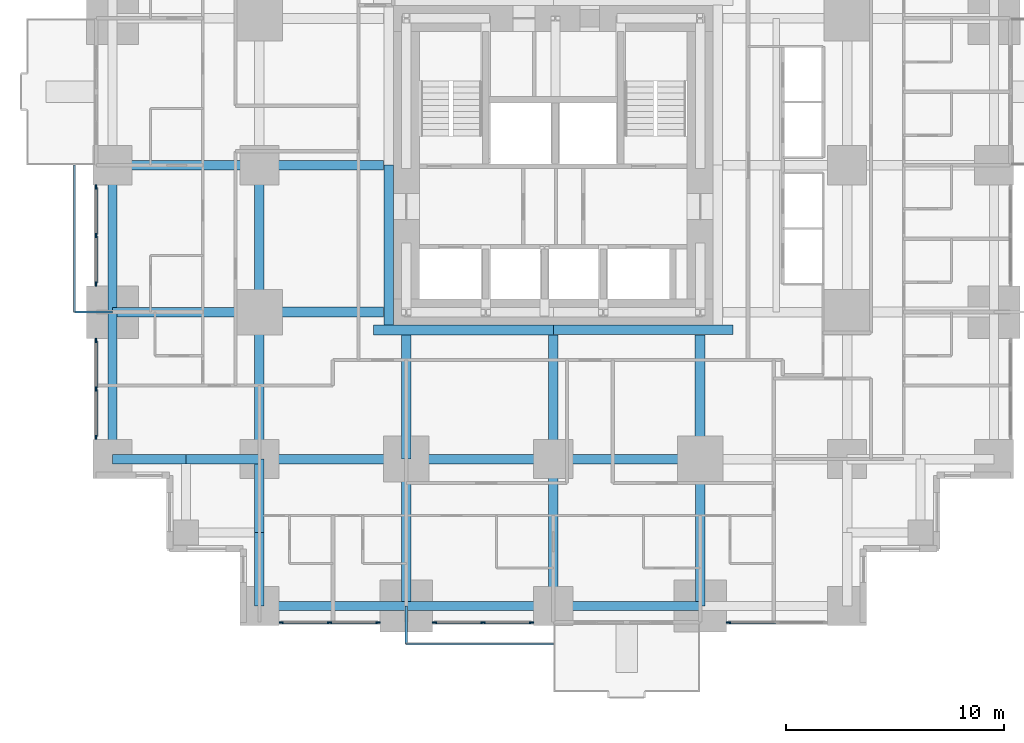
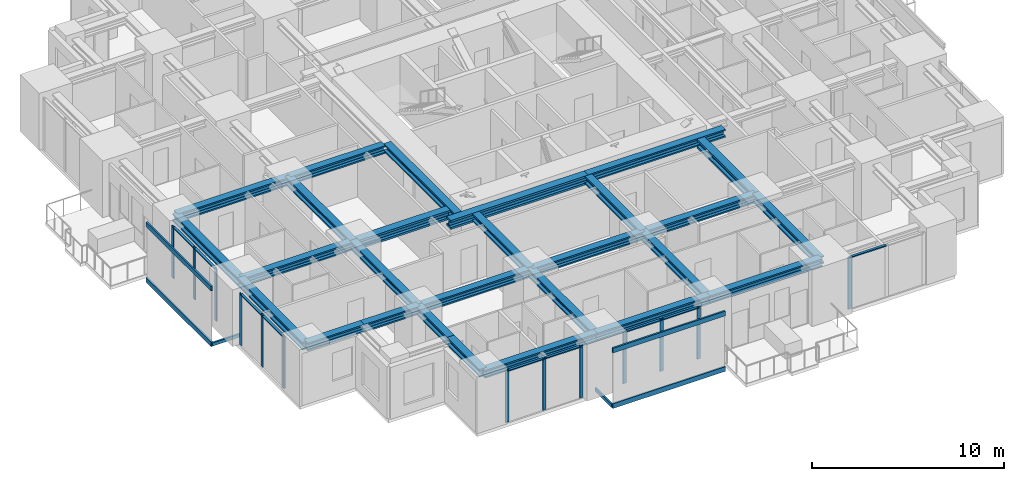
# One storey, part 2 of 15: 28 members, 27 beams, 5 elements without a shape of their own.
"""IFC4 building model written with IfcOpenShell, lengths in metres."""

from ifc_helpers import new_model, si_unit, direction, frame, origin, origin_2d, place, context, subcontext, project, spatial, rectangle, hollow_rectangle, i_section, extrude, material, material_profile, profile_set, type_object, element, aggregate, save


model = new_model("IFC4")

# Units and contexts
model_context = context("Model", 3, precision=1e-05, world=origin(), true_north=direction((0.0, 1.0)))
body_context = subcontext(model_context, "Body", "Model", "MODEL_VIEW")
ifc_project = project(units=[si_unit("LENGTHUNIT", "METRE"), si_unit("AREAUNIT", "SQUARE_METRE"), si_unit("VOLUMEUNIT", "CUBIC_METRE"), si_unit("PLANEANGLEUNIT", "RADIAN"), si_unit("MASSUNIT", "GRAM", prefix="KILO")], contexts=[model_context])

# Site, building, storey
site_placement = place(None, origin())
site = spatial("IfcSite", under=ifc_project, at=site_placement, CompositionType="ELEMENT")
building_placement = place(site_placement, origin())
building = spatial("IfcBuilding", under=site, at=building_placement, Name="Nyansa Garden Tower", CompositionType="ELEMENT")
storey_placement = place(building_placement, frame((0.0, 0.0, 72.0)))
storey = spatial("IfcBuildingStorey", under=building, at=storey_placement, Name="L19", CompositionType="ELEMENT", Elevation=72.0)

# Curtain wall, members
ifc_material_1 = material(Name="Black anodised aluminium, dark tinted double glazing", Category="aluminium")
curtain_wall_type = type_object("IfcCurtainWallType", Name="Inner skin curtain wall ISW-A", PredefinedType="USERDEFINED", material=ifc_material_1)
curtain_wall_1_placement = place(storey_placement, origin())
curtain_wall_1 = element("IfcCurtainWall", 1, at=curtain_wall_1_placement, inside=storey, type_object=curtain_wall_type, Name="Inner skin curtain wall L19 W", ObjectType="UNITISED CURTAIN WALL", PredefinedType="USERDEFINED")
ifc_material_2 = material(Name="Black anodised aluminium", Category="aluminium")
ifc_material_profile_1 = material_profile(ifc_material_2, rectangle(XDim=0.06494140625, YDim=0.199951171875, at=origin_2d()), Name="Mullion 200x65")
ifc_profile_set_1 = profile_set([ifc_material_profile_1], Name="Black anodised aluminium")
member_type_1 = type_object("IfcMemberType", Name="Mullion ISW-A 200x65", PredefinedType="MULLION", material=ifc_profile_set_1)
member_1_placement = place(storey_placement, frame((-0.75, 19.25, 0.0), z_axis=(0.0, 0.0, 1.0), x_axis=(1.0, 0.0, 0.0)))
member_1 = element("IfcMember", 2, at=member_1_placement, type_object=member_type_1, Name="ISW-A mullion 1", PredefinedType="MULLION", context=body_context, shape_type="SweptSolid", body=[
    extrude(rectangle(XDim=0.06494140625, YDim=0.199951171875, at=origin_2d()), origin(), (0.0, 0.0, 1.0), 3.300048828125),
])
member_2_placement = place(storey_placement, frame((-0.75, 17.02490234375, 0.0), z_axis=(0.0, 0.0, 1.0), x_axis=(1.0, 0.0, 0.0)))
member_2 = element("IfcMember", 3, at=member_2_placement, type_object=member_type_1, Name="ISW-A mullion 2", PredefinedType="MULLION", context=body_context, shape_type="SweptSolid", body=[
    extrude(rectangle(XDim=0.06494140625, YDim=0.199951171875, at=origin_2d()), origin(), (0.0, 0.0, 1.0), 3.300048828125),
])
member_3_placement = place(storey_placement, frame((-0.75, 14.800048828125, 0.0), z_axis=(0.0, 0.0, 1.0), x_axis=(1.0, 0.0, 0.0)))
member_3 = element("IfcMember", 4, at=member_3_placement, type_object=member_type_1, Name="ISW-A mullion 3", PredefinedType="MULLION", context=body_context, shape_type="SweptSolid", body=[
    extrude(rectangle(XDim=0.06494140625, YDim=0.199951171875, at=origin_2d()), origin(), (0.0, 0.0, 1.0), 3.300048828125),
])

curtain_wall_2_placement = place(storey_placement, origin())
curtain_wall_2 = element("IfcCurtainWall", 5, at=curtain_wall_2_placement, inside=storey, type_object=curtain_wall_type, Name="Inner skin curtain wall L19 W", ObjectType="UNITISED CURTAIN WALL", PredefinedType="USERDEFINED")
member_4_placement = place(storey_placement, frame((-0.75, 12.199951171875, 0.0), z_axis=(0.0, 0.0, 1.0), x_axis=(1.0, 0.0, 0.0)))
member_4 = element("IfcMember", 6, at=member_4_placement, type_object=member_type_1, Name="ISW-A mullion 1", PredefinedType="MULLION", context=body_context, shape_type="SweptSolid", body=[
    extrude(rectangle(XDim=0.06494140625, YDim=0.199951171875, at=origin_2d()), origin(), (0.0, 0.0, 1.0), 3.300048828125),
])
member_5_placement = place(storey_placement, frame((-0.75, 9.97509765625, 0.0), z_axis=(0.0, 0.0, 1.0), x_axis=(1.0, 0.0, 0.0)))
member_5 = element("IfcMember", 7, at=member_5_placement, type_object=member_type_1, Name="ISW-A mullion 2", PredefinedType="MULLION", context=body_context, shape_type="SweptSolid", body=[
    extrude(rectangle(XDim=0.06494140625, YDim=0.199951171875, at=origin_2d()), origin(), (0.0, 0.0, 1.0), 3.300048828125),
])
member_6_placement = place(storey_placement, frame((-0.75, 7.75, 0.0), z_axis=(0.0, 0.0, 1.0), x_axis=(1.0, 0.0, 0.0)))
member_6 = element("IfcMember", 8, at=member_6_placement, type_object=member_type_1, Name="ISW-A mullion 3", PredefinedType="MULLION", context=body_context, shape_type="SweptSolid", body=[
    extrude(rectangle(XDim=0.06494140625, YDim=0.199951171875, at=origin_2d()), origin(), (0.0, 0.0, 1.0), 3.300048828125),
])

curtain_wall_3_placement = place(storey_placement, origin())
curtain_wall_3 = element("IfcCurtainWall", 9, at=curtain_wall_3_placement, inside=storey, type_object=curtain_wall_type, Name="Inner skin curtain wall L19 S", ObjectType="UNITISED CURTAIN WALL", PredefinedType="USERDEFINED")
member_7_placement = place(storey_placement, frame((7.75, -0.75, 0.0), z_axis=(0.0, 0.0, 1.0), x_axis=(0.0, 1.0, 0.0)))
member_7 = element("IfcMember", 10, at=member_7_placement, type_object=member_type_1, Name="ISW-A mullion 1", PredefinedType="MULLION", context=body_context, shape_type="SweptSolid", body=[
    extrude(rectangle(XDim=0.06494140625, YDim=0.199951171875, at=origin_2d()), origin(), (0.0, 0.0, 1.0), 3.300048828125),
])
member_8_placement = place(storey_placement, frame((9.97509765625, -0.75, 0.0), z_axis=(0.0, 0.0, 1.0), x_axis=(0.0, 1.0, 0.0)))
member_8 = element("IfcMember", 11, at=member_8_placement, type_object=member_type_1, Name="ISW-A mullion 2", PredefinedType="MULLION", context=body_context, shape_type="SweptSolid", body=[
    extrude(rectangle(XDim=0.06494140625, YDim=0.199951171875, at=origin_2d()), origin(), (0.0, 0.0, 1.0), 3.300048828125),
])
member_9_placement = place(storey_placement, frame((12.199951171875, -0.75, 0.0), z_axis=(0.0, 0.0, 1.0), x_axis=(0.0, 1.0, 0.0)))
member_9 = element("IfcMember", 12, at=member_9_placement, type_object=member_type_1, Name="ISW-A mullion 3", PredefinedType="MULLION", context=body_context, shape_type="SweptSolid", body=[
    extrude(rectangle(XDim=0.06494140625, YDim=0.199951171875, at=origin_2d()), origin(), (0.0, 0.0, 1.0), 3.300048828125),
])

curtain_wall_4_placement = place(storey_placement, origin())
curtain_wall_4 = element("IfcCurtainWall", 13, at=curtain_wall_4_placement, inside=storey, type_object=curtain_wall_type, Name="Inner skin curtain wall L19 S", ObjectType="UNITISED CURTAIN WALL", PredefinedType="USERDEFINED")
member_10_placement = place(storey_placement, frame((14.800048828125, -0.75, 0.0), z_axis=(0.0, 0.0, 1.0), x_axis=(0.0, 1.0, 0.0)))
member_10 = element("IfcMember", 14, at=member_10_placement, type_object=member_type_1, Name="ISW-A mullion 1", PredefinedType="MULLION", context=body_context, shape_type="SweptSolid", body=[
    extrude(rectangle(XDim=0.06494140625, YDim=0.199951171875, at=origin_2d()), origin(), (0.0, 0.0, 1.0), 3.300048828125),
])
member_11_placement = place(storey_placement, frame((17.02490234375, -0.75, 0.0), z_axis=(0.0, 0.0, 1.0), x_axis=(0.0, 1.0, 0.0)))
member_11 = element("IfcMember", 15, at=member_11_placement, type_object=member_type_1, Name="ISW-A mullion 2", PredefinedType="MULLION", context=body_context, shape_type="SweptSolid", body=[
    extrude(rectangle(XDim=0.06494140625, YDim=0.199951171875, at=origin_2d()), origin(), (0.0, 0.0, 1.0), 3.300048828125),
])
member_12_placement = place(storey_placement, frame((19.25, -0.75, 0.0), z_axis=(0.0, 0.0, 1.0), x_axis=(0.0, 1.0, 0.0)))
member_12 = element("IfcMember", 16, at=member_12_placement, type_object=member_type_1, Name="ISW-A mullion 3", PredefinedType="MULLION", context=body_context, shape_type="SweptSolid", body=[
    extrude(rectangle(XDim=0.06494140625, YDim=0.199951171875, at=origin_2d()), origin(), (0.0, 0.0, 1.0), 3.300048828125),
])

# Curtain wall, member
curtain_wall_5_placement = place(storey_placement, origin())
curtain_wall_5 = element("IfcCurtainWall", 17, at=curtain_wall_5_placement, inside=storey, type_object=curtain_wall_type, Name="Inner skin curtain wall L19 S", ObjectType="UNITISED CURTAIN WALL", PredefinedType="USERDEFINED")
member_13_placement = place(storey_placement, frame((28.300048828125, -0.75, 0.0), z_axis=(0.0, 0.0, 1.0), x_axis=(0.0, 1.0, 0.0)))
member_13 = element("IfcMember", 18, at=member_13_placement, type_object=member_type_1, Name="ISW-A mullion 1", PredefinedType="MULLION", context=body_context, shape_type="SweptSolid", body=[
    extrude(rectangle(XDim=0.06494140625, YDim=0.199951171875, at=origin_2d()), origin(), (0.0, 0.0, 1.0), 3.300048828125),
])

# Members
ifc_material_3 = material(Name="Steel S355, black powder coated", Category="steel")
ifc_material_profile_2 = material_profile(ifc_material_3, hollow_rectangle(XDim=0.10009765625, YDim=0.199951171875, WallThickness=0.008056640625, at=origin_2d()), Name="RHS 200x100x8")
ifc_profile_set_2 = profile_set([ifc_material_profile_2], Name="Steel S355, black powder coated")
member_type_2 = type_object("IfcMemberType", Name="Outer skin bracket arm RHS 200x100x8", PredefinedType="USERDEFINED", material=ifc_profile_set_2)
for number, where, z_axis, x_axis, name in (
    (19, (0.0, 13.5, -0.375), (-1.0, 0.0, 0.0), (0.0, -1.0, 0.0), "Outer skin bracket arm"),
    (20, (13.5, 0.0, -0.375), (0.0, -1.0, 0.0), (1.0, 0.0, 0.0), "Outer skin bracket arm"),
):
    element("IfcMember", number, at=place(storey_placement, frame(where, z_axis=z_axis, x_axis=x_axis)), inside=storey, type_object=member_type_2, Name=name, ObjectType="OUTER SKIN BRACKET", PredefinedType="USERDEFINED", context=body_context, shape_type="SweptSolid", body=[
        extrude(hollow_rectangle(XDim=0.10009765625, YDim=0.199951171875, WallThickness=0.008056640625, at=origin_2d()), origin(), (0.0, 0.0, 1.0), 1.75),
    ])
ifc_material_4 = material(Name="Steel S355, black powder coated", Category="steel")
ifc_material_profile_3 = material_profile(ifc_material_4, hollow_rectangle(XDim=0.10009765625, YDim=0.300048828125, WallThickness=0.010009765625, at=origin_2d()), Name="RHS 300x100x10")
ifc_profile_set_3 = profile_set([ifc_material_profile_3], Name="Steel S355, black powder coated")
member_type_3 = type_object("IfcMemberType", Name="Outer skin rail RHS 300x100x10", PredefinedType="USERDEFINED", material=ifc_profile_set_3)
for number, where, z_axis, x_axis, name in (
    (21, (-1.75, 13.5, -0.375), (0.0, 1.0, 0.0), (-1.0, 0.0, 0.0), "Outer skin rail L19"),
    (22, (-1.75, 13.5, 3.14990234375), (0.0, 1.0, 0.0), (-1.0, 0.0, 0.0), "Outer skin rail L19 head"),
    (23, (13.5, -1.75, -0.375), (1.0, 0.0, 0.0), (0.0, 1.0, 0.0), "Outer skin rail L19"),
    (24, (13.5, -1.75, 3.14990234375), (1.0, 0.0, 0.0), (0.0, 1.0, 0.0), "Outer skin rail L19 head"),
):
    element("IfcMember", number, at=place(storey_placement, frame(where, z_axis=z_axis, x_axis=x_axis)), inside=storey, type_object=member_type_3, Name=name, ObjectType="OUTER SKIN RAIL", PredefinedType="USERDEFINED", context=body_context, shape_type="SweptSolid", body=[
        extrude(hollow_rectangle(XDim=0.10009765625, YDim=0.300048828125, WallThickness=0.010009765625, at=origin_2d()), origin(), (0.0, 0.0, 1.0), 6.75),
    ])

# Beams
ifc_material_5 = material(Name="Steel S355", Category="steel")
ifc_material_profile_4 = material_profile(ifc_material_5, i_section(OverallWidth=0.431884765625, OverallDepth=0.498046875, WebThickness=0.0556640625, FlangeThickness=0.0888671875, FilletRadius=0.014892578125, at=origin_2d()), Name="HD 400x744")
ifc_profile_set_4 = profile_set([ifc_material_profile_4], Name="Steel S355")
beam_type_1 = type_object("IfcBeamType", Name="Steel beam SBA2-744 HD 400x744", PredefinedType="BEAM", material=ifc_profile_set_4)
beam_1_placement = place(storey_placement, frame((0.0, 20.25, 3.051025390625), z_axis=(1.0, 0.0, 0.0), x_axis=(0.0, 1.0, 0.0)))
element("IfcBeam", 25, at=beam_1_placement, inside=storey, type_object=beam_type_1, Name="Steel beam 2/G-3/G L20", PredefinedType="BEAM", context=body_context, shape_type="SweptSolid", body=[
    extrude(i_section(OverallWidth=0.431884765625, OverallDepth=0.498046875, WebThickness=0.0556640625, FlangeThickness=0.0888671875, FilletRadius=0.014892578125, at=origin_2d()), origin(), (0.0, 0.0, 1.0), 6.75),
])
for number, where, z_axis, x_axis, name in (
    (26, (3.375, 6.75, 3.051025390625), (1.0, 0.0, 0.0), (0.0, 1.0, 0.0), "Steel beam 3.375/E-3/E L20"),
    (27, (6.75, 3.375, 3.051025390625), (0.0, 1.0, 0.0), (-1.0, 0.0, 0.0), "Steel beam 3/3.375-3/E L20"),
):
    element("IfcBeam", number, at=place(storey_placement, frame(where, z_axis=z_axis, x_axis=x_axis)), inside=storey, type_object=beam_type_1, Name=name, PredefinedType="BEAM", context=body_context, shape_type="SweptSolid", body=[
        extrude(i_section(OverallWidth=0.431884765625, OverallDepth=0.498046875, WebThickness=0.0556640625, FlangeThickness=0.0888671875, FilletRadius=0.014892578125, at=origin_2d()), origin(), (0.0, 0.0, 1.0), 3.375),
    ])
for number, where, z_axis, x_axis, name in (
    (28, (6.75, 6.75, 3.051025390625), (0.0, 1.0, 0.0), (-1.0, 0.0, 0.0), "Steel beam 3/E-3/F L20"),
    (29, (6.75, 6.75, 3.051025390625), (1.0, 0.0, 0.0), (0.0, 1.0, 0.0), "Steel beam 3/E-4/E L20"),
    (30, (6.75, 13.5, 3.051025390625), (0.0, 1.0, 0.0), (-1.0, 0.0, 0.0), "Steel beam 3/F-3/G L20"),
):
    element("IfcBeam", number, at=place(storey_placement, frame(where, z_axis=z_axis, x_axis=x_axis)), inside=storey, type_object=beam_type_1, Name=name, PredefinedType="BEAM", context=body_context, shape_type="SweptSolid", body=[
        extrude(i_section(OverallWidth=0.431884765625, OverallDepth=0.498046875, WebThickness=0.0556640625, FlangeThickness=0.0888671875, FilletRadius=0.014892578125, at=origin_2d()), origin(), (0.0, 0.0, 1.0), 6.75),
    ])
beam_2_placement = place(storey_placement, frame((6.75, 20.25, 3.051025390625), z_axis=(1.0, 0.0, 0.0), x_axis=(0.0, 1.0, 0.0)))
element("IfcBeam", 31, at=beam_2_placement, inside=storey, type_object=beam_type_1, Name="Steel beam 3/G-12.450/G L20", PredefinedType="BEAM", context=body_context, shape_type="SweptSolid", body=[
    extrude(i_section(OverallWidth=0.431884765625, OverallDepth=0.498046875, WebThickness=0.0556640625, FlangeThickness=0.0888671875, FilletRadius=0.014892578125, at=origin_2d()), origin(), (0.0, 0.0, 1.0), 5.699951171875),
])
for number, where, z_axis, x_axis, name in (
    (32, (13.5, 6.75, 3.051025390625), (1.0, 0.0, 0.0), (0.0, 1.0, 0.0), "Steel beam 4/E-5/E L20"),
    (33, (20.25, 0.0, 3.051025390625), (0.0, 1.0, 0.0), (-1.0, 0.0, 0.0), "Steel beam 5/D-5/E L20"),
):
    element("IfcBeam", number, at=place(storey_placement, frame(where, z_axis=z_axis, x_axis=x_axis)), inside=storey, type_object=beam_type_1, Name=name, PredefinedType="BEAM", context=body_context, shape_type="SweptSolid", body=[
        extrude(i_section(OverallWidth=0.431884765625, OverallDepth=0.498046875, WebThickness=0.0556640625, FlangeThickness=0.0888671875, FilletRadius=0.014892578125, at=origin_2d()), origin(), (0.0, 0.0, 1.0), 6.75),
    ])
beam_3_placement = place(storey_placement, frame((20.25, 6.75, 3.051025390625), z_axis=(0.0, 1.0, 0.0), x_axis=(-1.0, 0.0, 0.0)))
element("IfcBeam", 34, at=beam_3_placement, inside=storey, type_object=beam_type_1, Name="Steel beam 5/E-5/12.450 L20", PredefinedType="BEAM", context=body_context, shape_type="SweptSolid", body=[
    extrude(i_section(OverallWidth=0.431884765625, OverallDepth=0.498046875, WebThickness=0.0556640625, FlangeThickness=0.0888671875, FilletRadius=0.014892578125, at=origin_2d()), origin(), (0.0, 0.0, 1.0), 5.699951171875),
])
beam_4_placement = place(storey_placement, frame((20.25, 6.75, 3.051025390625), z_axis=(1.0, 0.0, 0.0), x_axis=(0.0, 1.0, 0.0)))
element("IfcBeam", 35, at=beam_4_placement, inside=storey, type_object=beam_type_1, Name="Steel beam 5/E-6/E L20", PredefinedType="BEAM", context=body_context, shape_type="SweptSolid", body=[
    extrude(i_section(OverallWidth=0.431884765625, OverallDepth=0.498046875, WebThickness=0.0556640625, FlangeThickness=0.0888671875, FilletRadius=0.014892578125, at=origin_2d()), origin(), (0.0, 0.0, 1.0), 6.75),
])
ifc_material_6 = material(Name="Steel S355", Category="steel")
ifc_material_profile_5 = material_profile(ifc_material_6, i_section(OverallWidth=0.431884765625, OverallDepth=0.498046875, WebThickness=0.0556640625, FlangeThickness=0.0888671875, FilletRadius=0.014892578125, at=origin_2d()), Name="HD 400x744")
ifc_profile_set_5 = profile_set([ifc_material_profile_5], Name="Steel S355")
beam_type_2 = type_object("IfcBeamType", Name="Steel beam SEBA-744 HD 400x744", PredefinedType="BEAM", material=ifc_profile_set_5)
for number, where, z_axis, x_axis, name in (
    (36, (0.0, 6.75, 3.051025390625), (0.0, 1.0, 0.0), (-1.0, 0.0, 0.0), "Steel edge beam 2/E-2/F L20"),
    (37, (0.0, 13.5, 3.051025390625), (0.0, 1.0, 0.0), (-1.0, 0.0, 0.0), "Steel edge beam 2/F-2/G L20"),
    (38, (6.75, 0.0, 3.051025390625), (1.0, 0.0, 0.0), (0.0, 1.0, 0.0), "Steel edge beam 3/D-4/D L20"),
    (39, (13.5, 0.0, 3.051025390625), (1.0, 0.0, 0.0), (0.0, 1.0, 0.0), "Steel edge beam 4/D-5/D L20"),
    (40, (20.25, 0.0, 3.051025390625), (1.0, 0.0, 0.0), (0.0, 1.0, 0.0), "Steel edge beam 5/D-6/D L20"),
):
    element("IfcBeam", number, at=place(storey_placement, frame(where, z_axis=z_axis, x_axis=x_axis)), inside=storey, type_object=beam_type_2, Name=name, PredefinedType="BEAM", context=body_context, shape_type="SweptSolid", body=[
        extrude(i_section(OverallWidth=0.431884765625, OverallDepth=0.498046875, WebThickness=0.0556640625, FlangeThickness=0.0888671875, FilletRadius=0.014892578125, at=origin_2d()), origin(), (0.0, 0.0, 1.0), 6.75),
    ])
ifc_material_7 = material(Name="Steel S355", Category="steel")
ifc_material_profile_6 = material_profile(ifc_material_7, i_section(OverallWidth=0.431884765625, OverallDepth=0.498046875, WebThickness=0.0556640625, FlangeThickness=0.0888671875, FilletRadius=0.014892578125, at=origin_2d()), Name="HD 400x744")
ifc_profile_set_6 = profile_set([ifc_material_profile_6], Name="Steel S355")
beam_type_3 = type_object("IfcBeamType", Name="Steel beam SEBA2-744 HD 400x744", PredefinedType="BEAM", material=ifc_profile_set_6)
for number, where, z_axis, x_axis, name in (
    (41, (0.0, 6.75, 3.051025390625), (1.0, 0.0, 0.0), (0.0, 1.0, 0.0), "Steel edge beam 2/E-3.375/E L20"),
    (42, (6.75, 0.0, 3.051025390625), (0.0, 1.0, 0.0), (-1.0, 0.0, 0.0), "Steel edge beam 3/D-3/3.375 L20"),
):
    element("IfcBeam", number, at=place(storey_placement, frame(where, z_axis=z_axis, x_axis=x_axis)), inside=storey, type_object=beam_type_3, Name=name, PredefinedType="BEAM", context=body_context, shape_type="SweptSolid", body=[
        extrude(i_section(OverallWidth=0.431884765625, OverallDepth=0.498046875, WebThickness=0.0556640625, FlangeThickness=0.0888671875, FilletRadius=0.014892578125, at=origin_2d()), origin(), (0.0, 0.0, 1.0), 3.375),
    ])
ifc_material_8 = material(Name="Steel S355", Category="steel")
ifc_material_profile_7 = material_profile(ifc_material_8, i_section(OverallWidth=0.4541015625, OverallDepth=0.569091796875, WebThickness=0.077880859375, FlangeThickness=0.125, FilletRadius=0.014892578125, at=origin_2d()), Name="HD 400x1086")
ifc_profile_set_7 = profile_set([ifc_material_profile_7], Name="Steel S355")
beam_type_4 = type_object("IfcBeamType", Name="Steel beam SLB1-1086 HD 400x1086", PredefinedType="BEAM", material=ifc_profile_set_7)
beam_5_placement = place(storey_placement, frame((12.0, 12.673095703125, 3.015380859375), z_axis=(1.0, 0.0, 0.0), x_axis=(0.0, 1.0, 0.0)))
element("IfcBeam", 43, at=beam_5_placement, inside=storey, type_object=beam_type_4, Name="Steel core ledger beam S.1 L20", PredefinedType="BEAM", context=body_context, shape_type="SweptSolid", body=[
    extrude(i_section(OverallWidth=0.4541015625, OverallDepth=0.569091796875, WebThickness=0.077880859375, FlangeThickness=0.125, FilletRadius=0.014892578125, at=origin_2d()), origin(), (0.0, 0.0, 1.0), 8.25),
])
ifc_material_9 = material(Name="Steel S355", Category="steel")
ifc_material_profile_8 = material_profile(ifc_material_9, i_section(OverallWidth=0.431884765625, OverallDepth=0.498046875, WebThickness=0.0556640625, FlangeThickness=0.0888671875, FilletRadius=0.014892578125, at=origin_2d()), Name="HD 400x744")
ifc_profile_set_8 = profile_set([ifc_material_profile_8], Name="Steel S355")
beam_type_5 = type_object("IfcBeamType", Name="Steel beam SLB1-744 HD 400x744", PredefinedType="BEAM", material=ifc_profile_set_8)
beam_6_placement = place(storey_placement, frame((20.25, 12.68408203125, 3.051025390625), z_axis=(1.0, 0.0, 0.0), x_axis=(0.0, 1.0, 0.0)))
element("IfcBeam", 44, at=beam_6_placement, inside=storey, type_object=beam_type_5, Name="Steel core ledger beam S.2 L20", PredefinedType="BEAM", context=body_context, shape_type="SweptSolid", body=[
    extrude(i_section(OverallWidth=0.431884765625, OverallDepth=0.498046875, WebThickness=0.0556640625, FlangeThickness=0.0888671875, FilletRadius=0.014892578125, at=origin_2d()), origin(), (0.0, 0.0, 1.0), 8.25),
])
beam_7_placement = place(storey_placement, frame((12.68408203125, 20.25, 3.051025390625), z_axis=(0.0, -1.0, 0.0), x_axis=(1.0, 0.0, 0.0)))
element("IfcBeam", 45, at=beam_7_placement, inside=storey, type_object=beam_type_5, Name="Steel core ledger beam W.2 L20", PredefinedType="BEAM", context=body_context, shape_type="SweptSolid", body=[
    extrude(i_section(OverallWidth=0.431884765625, OverallDepth=0.498046875, WebThickness=0.0556640625, FlangeThickness=0.0888671875, FilletRadius=0.014892578125, at=origin_2d()), origin(), (0.0, 0.0, 1.0), 7.35009765625),
])
ifc_material_10 = material(Name="Steel S355", Category="steel")
ifc_material_profile_9 = material_profile(ifc_material_10, i_section(OverallWidth=0.4541015625, OverallDepth=0.569091796875, WebThickness=0.077880859375, FlangeThickness=0.125, FilletRadius=0.014892578125, at=origin_2d()), Name="HD 400x1086")
ifc_profile_set_9 = profile_set([ifc_material_profile_9], Name="Steel S355")
beam_type_6 = type_object("IfcBeamType", Name="Steel beam SOC1-1086 HD 400x1086", PredefinedType="BEAM", material=ifc_profile_set_9)
for number, where, z_axis, x_axis, name in (
    (46, (6.75, 13.5, 3.015380859375), (1.0, 0.0, 0.0), (0.0, 1.0, 0.0), "Steel beam 3/F-12.450/F L20"),
    (47, (27.0, 6.75, 3.015380859375), (0.0, 1.0, 0.0), (-1.0, 0.0, 0.0), "Steel beam 6/E-6/12.450 L20"),
):
    element("IfcBeam", number, at=place(storey_placement, frame(where, z_axis=z_axis, x_axis=x_axis)), inside=storey, type_object=beam_type_6, Name=name, PredefinedType="BEAM", context=body_context, shape_type="SweptSolid", body=[
        extrude(i_section(OverallWidth=0.4541015625, OverallDepth=0.569091796875, WebThickness=0.077880859375, FlangeThickness=0.125, FilletRadius=0.014892578125, at=origin_2d()), origin(), (0.0, 0.0, 1.0), 5.699951171875),
    ])
ifc_material_11 = material(Name="Steel S355", Category="steel")
ifc_material_profile_10 = material_profile(ifc_material_11, i_section(OverallWidth=0.431884765625, OverallDepth=0.498046875, WebThickness=0.0556640625, FlangeThickness=0.0888671875, FilletRadius=0.014892578125, at=origin_2d()), Name="HD 400x744")
ifc_profile_set_10 = profile_set([ifc_material_profile_10], Name="Steel S355")
beam_type_7 = type_object("IfcBeamType", Name="Steel beam SOC1-744 HD 400x744", PredefinedType="BEAM", material=ifc_profile_set_10)
for number, where, z_axis, x_axis, name in (
    (48, (0.0, 13.5, 3.051025390625), (1.0, 0.0, 0.0), (0.0, 1.0, 0.0), "Steel beam 2/F-3/F L20"),
    (49, (13.5, 0.0, 3.051025390625), (0.0, 1.0, 0.0), (-1.0, 0.0, 0.0), "Steel beam 4/D-4/E L20"),
):
    element("IfcBeam", number, at=place(storey_placement, frame(where, z_axis=z_axis, x_axis=x_axis)), inside=storey, type_object=beam_type_7, Name=name, PredefinedType="BEAM", context=body_context, shape_type="SweptSolid", body=[
        extrude(i_section(OverallWidth=0.431884765625, OverallDepth=0.498046875, WebThickness=0.0556640625, FlangeThickness=0.0888671875, FilletRadius=0.014892578125, at=origin_2d()), origin(), (0.0, 0.0, 1.0), 6.75),
    ])
beam_8_placement = place(storey_placement, frame((13.5, 6.75, 3.051025390625), z_axis=(0.0, 1.0, 0.0), x_axis=(-1.0, 0.0, 0.0)))
element("IfcBeam", 50, at=beam_8_placement, inside=storey, type_object=beam_type_7, Name="Steel beam 4/E-4/12.450 L20", PredefinedType="BEAM", context=body_context, shape_type="SweptSolid", body=[
    extrude(i_section(OverallWidth=0.431884765625, OverallDepth=0.498046875, WebThickness=0.0556640625, FlangeThickness=0.0888671875, FilletRadius=0.014892578125, at=origin_2d()), origin(), (0.0, 0.0, 1.0), 5.699951171875),
])
beam_9_placement = place(storey_placement, frame((27.0, 0.0, 3.051025390625), z_axis=(0.0, 1.0, 0.0), x_axis=(-1.0, 0.0, 0.0)))
element("IfcBeam", 51, at=beam_9_placement, inside=storey, type_object=beam_type_7, Name="Steel beam 6/D-6/E L20", PredefinedType="BEAM", context=body_context, shape_type="SweptSolid", body=[
    extrude(i_section(OverallWidth=0.431884765625, OverallDepth=0.498046875, WebThickness=0.0556640625, FlangeThickness=0.0888671875, FilletRadius=0.014892578125, at=origin_2d()), origin(), (0.0, 0.0, 1.0), 6.75),
])

# Member
ifc_material_12 = material(Name="Black anodised aluminium", Category="aluminium")
ifc_material_profile_11 = material_profile(ifc_material_12, rectangle(XDim=0.14990234375, YDim=0.06494140625, at=origin_2d()), Name="Transom 150x65")
ifc_profile_set_11 = profile_set([ifc_material_profile_11], Name="Black anodised aluminium")
member_type_4 = type_object("IfcMemberType", Name="Transom ISW-A 150x65", PredefinedType="USERDEFINED", material=ifc_profile_set_11)
member_14_placement = place(storey_placement, frame((-0.75, 19.217529296875, 3.267578125), z_axis=(0.0, -1.0, 0.0), x_axis=(1.0, 0.0, 0.0)))
member_14 = element("IfcMember", 52, at=member_14_placement, type_object=member_type_4, Name="ISW-A transom 1", ObjectType="TRANSOM", PredefinedType="USERDEFINED", context=body_context, shape_type="SweptSolid", body=[
    extrude(rectangle(XDim=0.14990234375, YDim=0.06494140625, at=origin_2d()), origin(), (0.0, 0.0, 1.0), 2.159912109375),
])

member_15_placement = place(storey_placement, frame((-0.75, 16.992431640625, 3.267578125), z_axis=(0.0, -1.0, 0.0), x_axis=(1.0, 0.0, 0.0)))
member_15 = element("IfcMember", 53, at=member_15_placement, type_object=member_type_4, Name="ISW-A transom 2", ObjectType="TRANSOM", PredefinedType="USERDEFINED", context=body_context, shape_type="SweptSolid", body=[
    extrude(rectangle(XDim=0.14990234375, YDim=0.06494140625, at=origin_2d()), origin(), (0.0, 0.0, 1.0), 2.159912109375),
])

aggregate(curtain_wall_1, [member_1, member_2, member_3, member_14, member_15])

member_16_placement = place(storey_placement, frame((-0.75, 12.16748046875, 3.267578125), z_axis=(0.0, -1.0, 0.0), x_axis=(1.0, 0.0, 0.0)))
member_16 = element("IfcMember", 54, at=member_16_placement, type_object=member_type_4, Name="ISW-A transom 1", ObjectType="TRANSOM", PredefinedType="USERDEFINED", context=body_context, shape_type="SweptSolid", body=[
    extrude(rectangle(XDim=0.14990234375, YDim=0.06494140625, at=origin_2d()), origin(), (0.0, 0.0, 1.0), 2.159912109375),
])

member_17_placement = place(storey_placement, frame((-0.75, 9.9423828125, 3.267578125), z_axis=(0.0, -1.0, 0.0), x_axis=(1.0, 0.0, 0.0)))
member_17 = element("IfcMember", 55, at=member_17_placement, type_object=member_type_4, Name="ISW-A transom 2", ObjectType="TRANSOM", PredefinedType="USERDEFINED", context=body_context, shape_type="SweptSolid", body=[
    extrude(rectangle(XDim=0.14990234375, YDim=0.06494140625, at=origin_2d()), origin(), (0.0, 0.0, 1.0), 2.159912109375),
])

aggregate(curtain_wall_2, [member_4, member_5, member_6, member_16, member_17])

member_18_placement = place(storey_placement, frame((7.782470703125, -0.75, 3.267578125), z_axis=(1.0, 0.0, 0.0), x_axis=(0.0, 1.0, 0.0)))
member_18 = element("IfcMember", 56, at=member_18_placement, type_object=member_type_4, Name="ISW-A transom 1", ObjectType="TRANSOM", PredefinedType="USERDEFINED", context=body_context, shape_type="SweptSolid", body=[
    extrude(rectangle(XDim=0.14990234375, YDim=0.06494140625, at=origin_2d()), origin(), (0.0, 0.0, 1.0), 2.159912109375),
])

member_19_placement = place(storey_placement, frame((10.007568359375, -0.75, 3.267578125), z_axis=(1.0, 0.0, 0.0), x_axis=(0.0, 1.0, 0.0)))
member_19 = element("IfcMember", 57, at=member_19_placement, type_object=member_type_4, Name="ISW-A transom 2", ObjectType="TRANSOM", PredefinedType="USERDEFINED", context=body_context, shape_type="SweptSolid", body=[
    extrude(rectangle(XDim=0.14990234375, YDim=0.06494140625, at=origin_2d()), origin(), (0.0, 0.0, 1.0), 2.159912109375),
])

aggregate(curtain_wall_3, [member_7, member_8, member_9, member_18, member_19])

member_20_placement = place(storey_placement, frame((14.83251953125, -0.75, 3.267578125), z_axis=(1.0, 0.0, 0.0), x_axis=(0.0, 1.0, 0.0)))
member_20 = element("IfcMember", 58, at=member_20_placement, type_object=member_type_4, Name="ISW-A transom 1", ObjectType="TRANSOM", PredefinedType="USERDEFINED", context=body_context, shape_type="SweptSolid", body=[
    extrude(rectangle(XDim=0.14990234375, YDim=0.06494140625, at=origin_2d()), origin(), (0.0, 0.0, 1.0), 2.159912109375),
])

member_21_placement = place(storey_placement, frame((17.0576171875, -0.75, 3.267578125), z_axis=(1.0, 0.0, 0.0), x_axis=(0.0, 1.0, 0.0)))
member_21 = element("IfcMember", 59, at=member_21_placement, type_object=member_type_4, Name="ISW-A transom 2", ObjectType="TRANSOM", PredefinedType="USERDEFINED", context=body_context, shape_type="SweptSolid", body=[
    extrude(rectangle(XDim=0.14990234375, YDim=0.06494140625, at=origin_2d()), origin(), (0.0, 0.0, 1.0), 2.159912109375),
])

aggregate(curtain_wall_4, [member_10, member_11, member_12, member_20, member_21])

member_22_placement = place(storey_placement, frame((28.33251953125, -0.75, 3.267578125), z_axis=(1.0, 0.0, 0.0), x_axis=(0.0, 1.0, 0.0)))
member_22 = element("IfcMember", 60, at=member_22_placement, type_object=member_type_4, Name="ISW-A transom 1", ObjectType="TRANSOM", PredefinedType="USERDEFINED", context=body_context, shape_type="SweptSolid", body=[
    extrude(rectangle(XDim=0.14990234375, YDim=0.06494140625, at=origin_2d()), origin(), (0.0, 0.0, 1.0), 2.159912109375),
])

aggregate(curtain_wall_5, [member_13, member_22])

save(model, "model.ifc")
